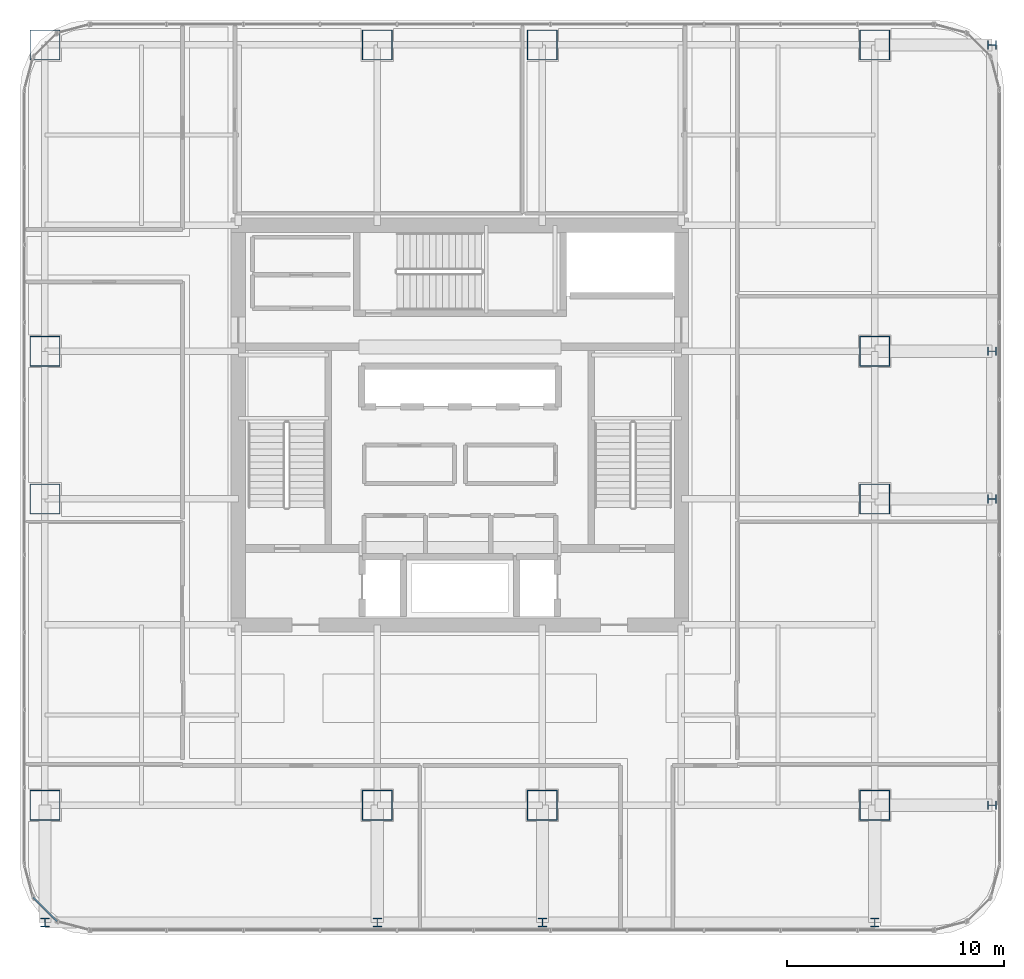
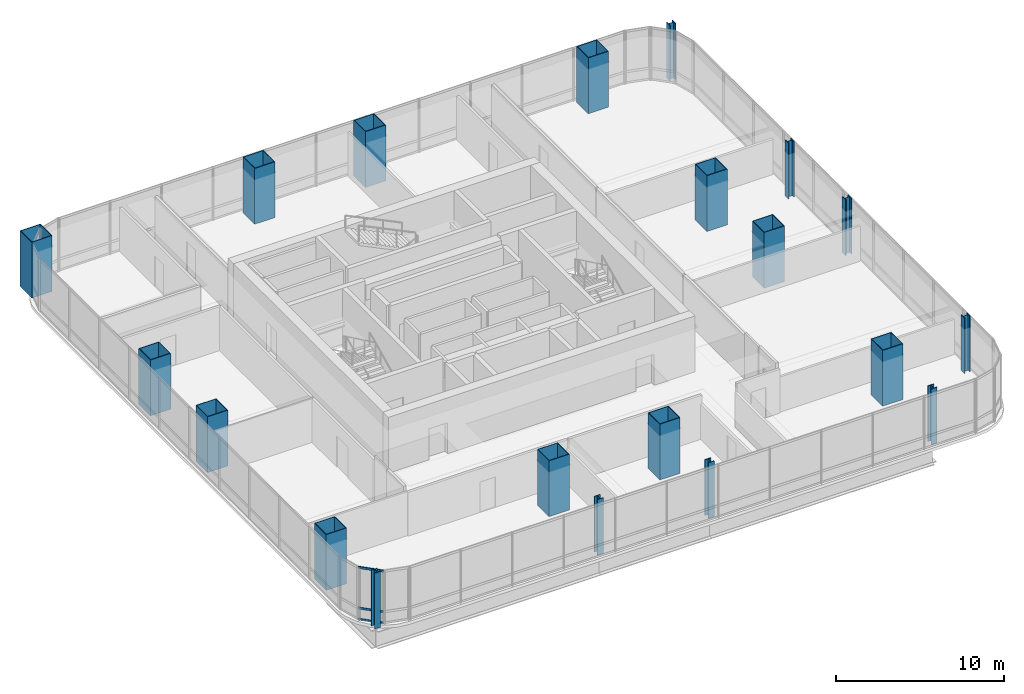
# One storey, part 1 of 36: 20 columns, 3 members, 1 element without a shape of its own.
"""IFC4 building model written with IfcOpenShell, lengths in metres."""

from ifc_helpers import new_model, si_unit, direction, frame, origin, origin_2d, place, context, subcontext, project, spatial, hollow_rectangle, i_section, extrude, material, material_profile, profile_set, type_object, element, aggregate, save


model = new_model("IFC4")

# Units and contexts
model_context = context("Model", 3, precision=1e-05, world=origin(), true_north=direction((0.0, 1.0)))
body_context = subcontext(model_context, "Body", "Model", "MODEL_VIEW")
ifc_project = project(units=[si_unit("LENGTHUNIT", "METRE"), si_unit("AREAUNIT", "SQUARE_METRE"), si_unit("VOLUMEUNIT", "CUBIC_METRE"), si_unit("PLANEANGLEUNIT", "RADIAN"), si_unit("MASSUNIT", "GRAM", prefix="KILO")], contexts=[model_context])

# Site, building, storey
site_placement = place(None, origin())
site = spatial("IfcSite", under=ifc_project, at=site_placement, CompositionType="ELEMENT")
building_placement = place(site_placement, origin())
building = spatial("IfcBuilding", under=site, at=building_placement, Name="Punatoya Terracotta Tower", CompositionType="ELEMENT")
storey_placement = place(building_placement, frame((0.0, 0.0, 208.64990234375)))
storey = spatial("IfcBuildingStorey", under=building, at=storey_placement, Name="L49", CompositionType="ELEMENT", Elevation=208.64990234375)

# Columns
ifc_material_1 = material(Name="Steel S460", Category="steel")
ifc_material_profile_1 = material_profile(ifc_material_1, i_section(OverallWidth=0.408935546875, OverallDepth=0.425048828125, WebThickness=0.031982421875, FlangeThickness=0.052001953125, FilletRadius=0.01806640625, at=origin_2d()))
ifc_profile_set_1 = profile_set([ifc_material_profile_1], Name="Steel S460")
column_type_1 = type_object("IfcColumnType", Name="COL-EX-M2", PredefinedType="COLUMN", material=ifc_profile_set_1)
for number, where, z_axis, x_axis, name in (
    (1, (-19.10009765625, -22.89990234375, 0.0), (0.0, 0.0, 1.0), (1.0, 0.0, 0.0), "L49 Exoskeleton Perimeter Column S1"),
    (2, (-3.800048828125, -22.89990234375, 0.0), (0.0, 0.0, 1.0), (1.0, 0.0, 0.0), "L49 Exoskeleton Perimeter Column S2"),
    (3, (3.800048828125, -22.89990234375, 0.0), (0.0, 0.0, 1.0), (1.0, 0.0, 0.0), "L49 Exoskeleton Perimeter Column S3"),
    (4, (19.10009765625, -22.89990234375, 0.0), (0.0, 0.0, 1.0), (1.0, 0.0, 0.0), "L49 Exoskeleton Perimeter Column S4"),
    (5, (24.5, -17.5, 0.0), (0.0, 0.0, 1.0), (0.0, 1.0, 0.0), "L49 Exoskeleton Perimeter Column E1"),
    (6, (24.5, -3.39990234375, 0.0), (0.0, 0.0, 1.0), (0.0, 1.0, 0.0), "L49 Exoskeleton Perimeter Column E2"),
    (7, (24.5, 3.39990234375, 0.0), (0.0, 0.0, 1.0), (0.0, 1.0, 0.0), "L49 Exoskeleton Perimeter Column E3"),
    (8, (24.5, 17.5, 0.0), (0.0, 0.0, 1.0), (0.0, 1.0, 0.0), "L49 Exoskeleton Perimeter Column E4"),
):
    element("IfcColumn", number, at=place(storey_placement, frame(where, z_axis=z_axis, x_axis=x_axis)), inside=storey, type_object=column_type_1, Name=name, PredefinedType="COLUMN", context=body_context, shape_type="SweptSolid", body=[
        extrude(i_section(OverallWidth=0.408935546875, OverallDepth=0.425048828125, WebThickness=0.031982421875, FlangeThickness=0.052001953125, FilletRadius=0.01806640625, at=origin_2d()), origin(), (0.0, 0.0, 1.0), 4.048095703125),
    ])
ifc_material_profile_2 = material_profile(ifc_material_1, hollow_rectangle(XDim=1.39990234375, YDim=1.39990234375, WallThickness=0.0419921875, at=origin_2d()))
ifc_profile_set_2 = profile_set([ifc_material_profile_2], Name="Steel S460")
column_type_2 = type_object("IfcColumnType", Name="COL-MC-Z2", PredefinedType="COLUMN", material=ifc_profile_set_2)
for number, where, z_axis, x_axis, name in (
    (9, (-19.10009765625, -17.5, 0.0), (0.0, 0.0, 1.0), (1.0, 0.0, 0.0), "L49 Composite Mega-Column MC-01 (3-B)"),
    (10, (-3.800048828125, -17.5, 0.0), (0.0, 0.0, 1.0), (1.0, 0.0, 0.0), "L49 Composite Mega-Column MC-02 (5-B)"),
    (11, (3.800048828125, -17.5, 0.0), (0.0, 0.0, 1.0), (1.0, 0.0, 0.0), "L49 Composite Mega-Column MC-03 (7-B)"),
    (12, (19.10009765625, -17.5, 0.0), (0.0, 0.0, 1.0), (1.0, 0.0, 0.0), "L49 Composite Mega-Column MC-04 (9-B)"),
    (13, (19.10009765625, -3.39990234375, 0.0), (0.0, 0.0, 1.0), (1.0, 0.0, 0.0), "L49 Composite Mega-Column MC-05 (9-D)"),
    (14, (19.10009765625, 3.39990234375, 0.0), (0.0, 0.0, 1.0), (1.0, 0.0, 0.0), "L49 Composite Mega-Column MC-06 (9-E)"),
    (15, (19.10009765625, 17.5, 0.0), (0.0, 0.0, 1.0), (1.0, 0.0, 0.0), "L49 Composite Mega-Column MC-07 (9-G)"),
    (16, (3.800048828125, 17.5, 0.0), (0.0, 0.0, 1.0), (1.0, 0.0, 0.0), "L49 Composite Mega-Column MC-08 (7-G)"),
    (17, (-3.800048828125, 17.5, 0.0), (0.0, 0.0, 1.0), (1.0, 0.0, 0.0), "L49 Composite Mega-Column MC-09 (5-G)"),
    (18, (-19.10009765625, 17.5, 0.0), (0.0, 0.0, 1.0), (1.0, 0.0, 0.0), "L49 Composite Mega-Column MC-10 (3-G)"),
    (19, (-19.10009765625, 3.39990234375, 0.0), (0.0, 0.0, 1.0), (1.0, 0.0, 0.0), "L49 Composite Mega-Column MC-11 (3-E)"),
    (20, (-19.10009765625, -3.39990234375, 0.0), (0.0, 0.0, 1.0), (1.0, 0.0, 0.0), "L49 Composite Mega-Column MC-12 (3-D)"),
):
    element("IfcColumn", number, at=place(storey_placement, frame(where, z_axis=z_axis, x_axis=x_axis)), inside=storey, type_object=column_type_2, Name=name, PredefinedType="COLUMN", context=body_context, shape_type="SweptSolid", body=[
        extrude(hollow_rectangle(XDim=1.39990234375, YDim=1.39990234375, WallThickness=0.0419921875, at=origin_2d()), origin(), (0.0, 0.0, 1.0), 4.050048828125),
    ])

# Curtain wall, members
ifc_material_2 = material(Name="Aluminium 6063-T6 + Double Low-E Glass", Category="aluminium")
curtain_wall_type = type_object("IfcCurtainWallType", Name="CW-M2", PredefinedType="NOTDEFINED", material=ifc_material_2)
curtain_wall_placement = place(storey_placement, origin())
curtain_wall = element("IfcCurtainWall", 21, at=curtain_wall_placement, inside=storey, type_object=curtain_wall_type, Name="L49 Curtain Wall CW-L49-CRN15", PredefinedType="NOTDEFINED")
ifc_material_3 = material(Name="Aluminium 6063-T6", Category="aluminium")
ifc_material_profile_3 = material_profile(ifc_material_3, hollow_rectangle(XDim=0.068115234375, YDim=0.14990234375, WallThickness=0.00390625, at=origin_2d()))
ifc_profile_set_3 = profile_set([ifc_material_profile_3], Name="Aluminium 6063-T6")
member_type = type_object("IfcMemberType", Name="CW-TRN-TYP", PredefinedType="USERDEFINED", material=ifc_profile_set_3)
member_1_placement = place(storey_placement, frame((-19.646484375, -21.7490234375, 0.0400390625), z_axis=(0.707028130747, -0.707185422879, 0.0), x_axis=(0.707185422879, 0.707028130747, 0.0)))
member_1 = element("IfcMember", 22, at=member_1_placement, type_object=member_type, Name="CW-L49-CRN15 Transom 1", ObjectType="TRANSOM", PredefinedType="USERDEFINED", context=body_context, shape_type="SweptSolid", body=[
    extrude(hollow_rectangle(XDim=0.068115234375, YDim=0.14990234375, WallThickness=0.00390625, at=origin_2d()), origin(), (0.0, 0.0, 1.0), 1.55224609375),
])
member_2_placement = place(storey_placement, frame((-19.646484375, -21.7490234375, 0.85009765625), z_axis=(0.707028130747, -0.707185422879, 0.0), x_axis=(0.707185422879, 0.707028130747, 0.0)))
member_2 = element("IfcMember", 23, at=member_2_placement, type_object=member_type, Name="CW-L49-CRN15 Transom 2", ObjectType="TRANSOM", PredefinedType="USERDEFINED", context=body_context, shape_type="SweptSolid", body=[
    extrude(hollow_rectangle(XDim=0.068115234375, YDim=0.14990234375, WallThickness=0.00390625, at=origin_2d()), origin(), (0.0, 0.0, 1.0), 1.55224609375),
])
member_3_placement = place(storey_placement, frame((-19.646484375, -21.7490234375, 3.7900390625), z_axis=(0.707028130747, -0.707185422879, 0.0), x_axis=(0.707185422879, 0.707028130747, 0.0)))
member_3 = element("IfcMember", 24, at=member_3_placement, type_object=member_type, Name="CW-L49-CRN15 Transom 3", ObjectType="TRANSOM", PredefinedType="USERDEFINED", context=body_context, shape_type="SweptSolid", body=[
    extrude(hollow_rectangle(XDim=0.068115234375, YDim=0.14990234375, WallThickness=0.00390625, at=origin_2d()), origin(), (0.0, 0.0, 1.0), 1.55224609375),
])
aggregate(curtain_wall, [member_1, member_2, member_3])

save(model, "model.ifc")
